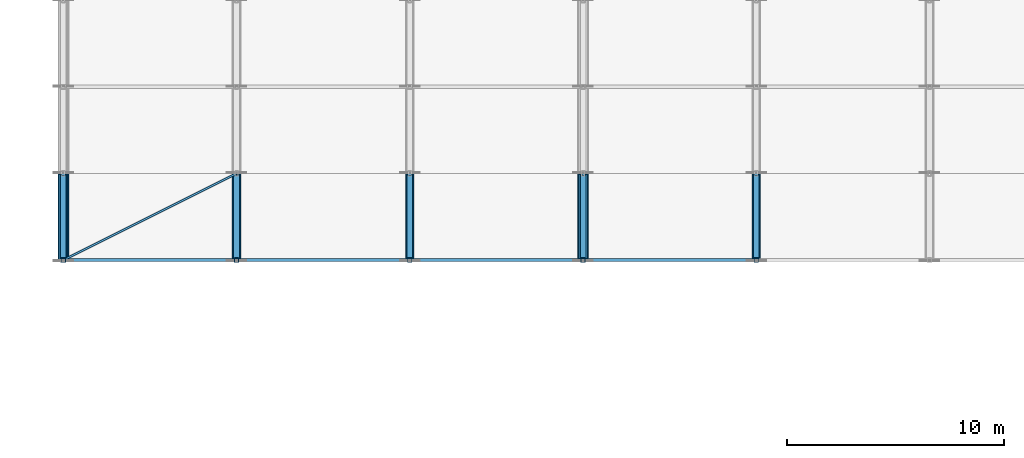
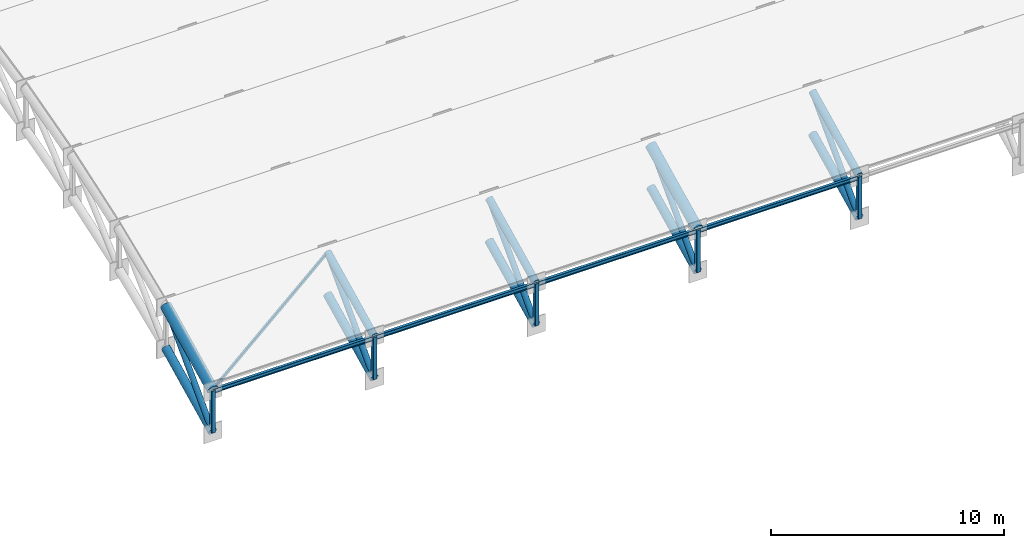
# One storey, part 2 of 98: 25 members.
"""IFC4 building model written with IfcOpenShell, lengths in metres."""

from ifc_helpers import new_model, si_unit, direction, frame, origin, origin_2d, place, context, subcontext, project, spatial, hollow_rectangle, hollow_circle, i_section, extrude, material, material_profile, profile_set, type_object, element, save


model = new_model("IFC4")

# Units and contexts
model_context = context("Model", 3, precision=1e-05, world=origin(), true_north=direction((0.0, 1.0)))
body_context = subcontext(model_context, "Body", "Model", "MODEL_VIEW")
ifc_project = project(units=[si_unit("LENGTHUNIT", "METRE"), si_unit("AREAUNIT", "SQUARE_METRE"), si_unit("VOLUMEUNIT", "CUBIC_METRE"), si_unit("PLANEANGLEUNIT", "RADIAN"), si_unit("MASSUNIT", "GRAM", prefix="KILO")], contexts=[model_context])

# Site, building, storey
site_placement = place(None, origin())
site = spatial("IfcSite", under=ifc_project, at=site_placement, CompositionType="ELEMENT")
building_placement = place(site_placement, origin())
building = spatial("IfcBuilding", under=site, at=building_placement, Name="Tlacozan Convention Centre", CompositionType="ELEMENT")
storey_placement = place(building_placement, frame((0.0, 0.0, 25.800048828125)))
storey = spatial("IfcBuildingStorey", under=building, at=storey_placement, Name="Roof", CompositionType="ELEMENT", Elevation=25.800048828125)

# Members
ifc_material_1 = material(Name="Steel ASTM A500 Grade C", Category="steel")
ifc_material_profile_1 = material_profile(ifc_material_1, hollow_circle(Radius=0.203125, WallThickness=0.015869140625, at=origin_2d()), Name="OC 406.4x15.9")
ifc_profile_set_1 = profile_set([ifc_material_profile_1], Name="Steel ASTM A500 Grade C")
member_type_1 = type_object("IfcMemberType", Name="Arch Bottom Chord OC 406.4x15.9", PredefinedType="CHORD", material=ifc_profile_set_1)
for number, where, z_axis, x_axis, name in (
    (1, (0.0, 62.0, -12.800048828125), (0.0, 0.897300183135, 0.441420866459), (-1.0, 0.0, 0.0), "V2A Roof Truss 1 Bottom Chord 1"),
    (2, (8.0, 62.0, -12.800048828125), (0.0, 0.897300183135, 0.441420866459), (-1.0, 0.0, 0.0), "V2A Roof Truss 2 Bottom Chord 1"),
    (3, (16.0, 62.0, -12.800048828125), (0.0, 0.897300183135, 0.441420866459), (-1.0, 0.0, 0.0), "V2A Roof Truss 3 Bottom Chord 1"),
    (4, (24.0, 62.0, -12.800048828125), (0.0, 0.897300183135, 0.441420866459), (-1.0, 0.0, 0.0), "V2A Roof Truss 4 Bottom Chord 1"),
    (5, (32.0, 62.0, -12.800048828125), (0.0, 0.897300183135, 0.441420866459), (-1.0, 0.0, 0.0), "V2A Roof Truss 5 Bottom Chord 1"),
):
    element("IfcMember", number, at=place(storey_placement, frame(where, z_axis=z_axis, x_axis=x_axis)), inside=storey, type_object=member_type_1, Name=name, PredefinedType="CHORD", context=body_context, shape_type="SweptSolid", body=[
        extrude(hollow_circle(Radius=0.203125, WallThickness=0.015869140625, at=origin_2d()), origin(), (0.0, 0.0, 1.0), 4.457763671875),
    ])
ifc_material_profile_2 = material_profile(ifc_material_1, hollow_circle(Radius=0.25390625, WallThickness=0.01904296875, at=origin_2d()), Name="OC 508.0x19.1")
ifc_profile_set_2 = profile_set([ifc_material_profile_2], Name="Steel ASTM A500 Grade C")
member_type_2 = type_object("IfcMemberType", Name="Arch Top Chord OC 508x19.1", PredefinedType="CHORD", material=ifc_profile_set_2)
for number, where, z_axis, x_axis, name in (
    (6, (0.0, 62.0, -10.60009765625), (0.0, 0.897300183135, 0.441420866459), (-1.0, 0.0, 0.0), "V2A Roof Truss 1 Top Chord 1"),
    (7, (24.0, 62.0, -10.60009765625), (0.0, 0.897300183135, 0.441420866459), (-1.0, 0.0, 0.0), "V2A Roof Truss 4 Top Chord 1"),
):
    element("IfcMember", number, at=place(storey_placement, frame(where, z_axis=z_axis, x_axis=x_axis)), inside=storey, type_object=member_type_2, Name=name, PredefinedType="CHORD", context=body_context, shape_type="SweptSolid", body=[
        extrude(hollow_circle(Radius=0.25390625, WallThickness=0.01904296875, at=origin_2d()), origin(), (0.0, 0.0, 1.0), 4.457763671875),
    ])
ifc_material_profile_3 = material_profile(ifc_material_1, hollow_circle(Radius=0.136474609375, WallThickness=0.0126953125, at=origin_2d()), Name="OC 273.1x12.7")
ifc_profile_set_3 = profile_set([ifc_material_profile_3], Name="Steel ASTM A500 Grade C")
member_type_3 = type_object("IfcMemberType", Name="Arch Web Diagonal OC 273.1x12.7", PredefinedType="BRACE", material=ifc_profile_set_3)
for number, where, z_axis, x_axis, name in (
    (8, (0.0, 62.0, -12.800048828125), (0.0, 0.69244032859, 0.721475149497), (-1.0, 0.0, 0.0), "V2A Roof Truss 1 Web Diagonal 1"),
    (9, (8.0, 62.0, -12.800048828125), (0.0, 0.69244032859, 0.721475149497), (-1.0, 0.0, 0.0), "V2A Roof Truss 2 Web Diagonal 1"),
    (10, (16.0, 62.0, -12.800048828125), (0.0, 0.69244032859, 0.721475149497), (-1.0, 0.0, 0.0), "V2A Roof Truss 3 Web Diagonal 1"),
    (11, (24.0, 62.0, -12.800048828125), (0.0, 0.69244032859, 0.721475149497), (-1.0, 0.0, 0.0), "V2A Roof Truss 4 Web Diagonal 1"),
    (12, (32.0, 62.0, -12.800048828125), (0.0, 0.69244032859, 0.721475149497), (-1.0, 0.0, 0.0), "V2A Roof Truss 5 Web Diagonal 1"),
):
    element("IfcMember", number, at=place(storey_placement, frame(where, z_axis=z_axis, x_axis=x_axis)), inside=storey, type_object=member_type_3, Name=name, PredefinedType="BRACE", context=body_context, shape_type="SweptSolid", body=[
        extrude(hollow_circle(Radius=0.136474609375, WallThickness=0.0126953125, at=origin_2d()), origin(), (0.0, 0.0, 1.0), 5.776611328125),
    ])
ifc_material_profile_4 = material_profile(ifc_material_1, hollow_rectangle(XDim=0.203125, YDim=0.203125, WallThickness=0.0126953125, InnerFilletRadius=0.0126953125, OuterFilletRadius=0.02490234375, at=origin_2d()), Name="OR 203x203x12.7")
ifc_profile_set_4 = profile_set([ifc_material_profile_4], Name="Steel ASTM A500 Grade C")
member_type_4 = type_object("IfcMemberType", Name="Arch Web Strut OR 203x203x12.7", PredefinedType="STRUT", material=ifc_profile_set_4)
for number, where, z_axis, x_axis, name in (
    (13, (0.0, 62.0, -12.800048828125), (0.0, 0.0, 1.0), (1.0, 0.0, 0.0), "V2A Roof Truss 1 Vertical Strut 1"),
    (14, (8.0, 62.0, -12.800048828125), (0.0, 0.0, 1.0), (1.0, 0.0, 0.0), "V2A Roof Truss 2 Vertical Strut 1"),
    (15, (16.0, 62.0, -12.800048828125), (0.0, 0.0, 1.0), (1.0, 0.0, 0.0), "V2A Roof Truss 3 Vertical Strut 1"),
    (16, (24.0, 62.0, -12.800048828125), (0.0, 0.0, 1.0), (1.0, 0.0, 0.0), "V2A Roof Truss 4 Vertical Strut 1"),
    (17, (32.0, 62.0, -12.800048828125), (0.0, 0.0, 1.0), (1.0, 0.0, 0.0), "V2A Roof Truss 5 Vertical Strut 1"),
):
    element("IfcMember", number, at=place(storey_placement, frame(where, z_axis=z_axis, x_axis=x_axis)), inside=storey, type_object=member_type_4, Name=name, PredefinedType="STRUT", context=body_context, shape_type="SweptSolid", body=[
        extrude(hollow_rectangle(XDim=0.203125, YDim=0.203125, WallThickness=0.0126953125, InnerFilletRadius=0.0126953125, OuterFilletRadius=0.02490234375, at=origin_2d()), origin(), (0.0, 0.0, 1.0), 2.199951171875),
    ])
ifc_material_profile_5 = material_profile(ifc_material_1, hollow_rectangle(XDim=0.1015625, YDim=0.15234375, WallThickness=0.009521484375, InnerFilletRadius=0.009521484375, OuterFilletRadius=0.01904296875, at=origin_2d()), Name="OR 152x102x9.5")
ifc_profile_set_5 = profile_set([ifc_material_profile_5], Name="Steel ASTM A500 Grade C")
member_type_5 = type_object("IfcMemberType", Name="Roof Plan Brace OR 152x102x9.5", PredefinedType="BRACE", material=ifc_profile_set_5)
member_placement = place(storey_placement, frame((0.0, 62.0, -10.60009765625), z_axis=(0.873536677994, 0.436768338997, 0.214865283955), x_axis=(-0.4472135955, 0.894427191, 0.0)))
element("IfcMember", 18, at=member_placement, inside=storey, type_object=member_type_5, Name="V2A Roof Truss Plan Brace 1.1", PredefinedType="BRACE", context=body_context, shape_type="SweptSolid", body=[
    extrude(hollow_rectangle(XDim=0.1015625, YDim=0.15234375, WallThickness=0.009521484375, InnerFilletRadius=0.009521484375, OuterFilletRadius=0.01904296875, at=origin_2d()), origin(), (0.0, 0.0, 1.0), 9.158203125),
])
ifc_material_profile_6 = material_profile(ifc_material_1, hollow_circle(Radius=0.177734375, WallThickness=0.015869140625, at=origin_2d()), Name="OC 355.6x15.9")
ifc_profile_set_6 = profile_set([ifc_material_profile_6], Name="Steel ASTM A500 Grade C")
member_type_6 = type_object("IfcMemberType", Name="Secondary Arch Chord OC 355.6x15.9", PredefinedType="CHORD", material=ifc_profile_set_6)
for number, where, z_axis, x_axis, name in (
    (19, (8.0, 62.0, -10.60009765625), (0.0, 0.897300183135, 0.441420866459), (-1.0, 0.0, 0.0), "V2A Roof Truss 2 Top Chord 1"),
    (20, (16.0, 62.0, -10.60009765625), (0.0, 0.897300183135, 0.441420866459), (-1.0, 0.0, 0.0), "V2A Roof Truss 3 Top Chord 1"),
    (21, (32.0, 62.0, -10.60009765625), (0.0, 0.897300183135, 0.441420866459), (-1.0, 0.0, 0.0), "V2A Roof Truss 5 Top Chord 1"),
):
    element("IfcMember", number, at=place(storey_placement, frame(where, z_axis=z_axis, x_axis=x_axis)), inside=storey, type_object=member_type_6, Name=name, PredefinedType="CHORD", context=body_context, shape_type="SweptSolid", body=[
        extrude(hollow_circle(Radius=0.177734375, WallThickness=0.015869140625, at=origin_2d()), origin(), (0.0, 0.0, 1.0), 4.457763671875),
    ])
ifc_material_2 = material(Name="Steel ASTM A992 Grade 50", Category="steel")
ifc_material_profile_7 = material_profile(ifc_material_2, i_section(OverallWidth=0.134033203125, OverallDepth=0.2099609375, WebThickness=0.00634765625, FlangeThickness=0.01025390625, FilletRadius=0.008056640625, at=origin_2d()), Name="IR 203x31.3")
ifc_profile_set_7 = profile_set([ifc_material_profile_7], Name="Steel ASTM A992 Grade 50")
member_type_7 = type_object("IfcMemberType", Name="Secondary Eave Purlin IR 203x31.3", PredefinedType="PURLIN", material=ifc_profile_set_7)
for number, where, z_axis, x_axis, name in (
    (22, (0.0, 62.0, -10.6650390625), (1.0, 0.0, 0.0), (0.0, 1.0, 0.0), "V2A Roof Truss Purlin 1.1"),
    (23, (8.0, 62.0, -10.6650390625), (1.0, 0.0, 0.0), (0.0, 1.0, 0.0), "V2A Roof Truss Purlin 2.1"),
    (24, (16.0, 62.0, -10.6650390625), (1.0, 0.0, 0.0), (0.0, 1.0, 0.0), "V2A Roof Truss Purlin 3.1"),
    (25, (24.0, 62.0, -10.6650390625), (1.0, 0.0, 0.0), (0.0, 1.0, 0.0), "V2A Roof Truss Purlin 4.1"),
):
    element("IfcMember", number, at=place(storey_placement, frame(where, z_axis=z_axis, x_axis=x_axis)), inside=storey, type_object=member_type_7, Name=name, PredefinedType="PURLIN", context=body_context, shape_type="SweptSolid", body=[
        extrude(i_section(OverallWidth=0.134033203125, OverallDepth=0.2099609375, WebThickness=0.00634765625, FlangeThickness=0.01025390625, FilletRadius=0.008056640625, at=origin_2d()), origin(), (0.0, 0.0, 1.0), 8.0),
    ])

save(model, "model.ifc")
